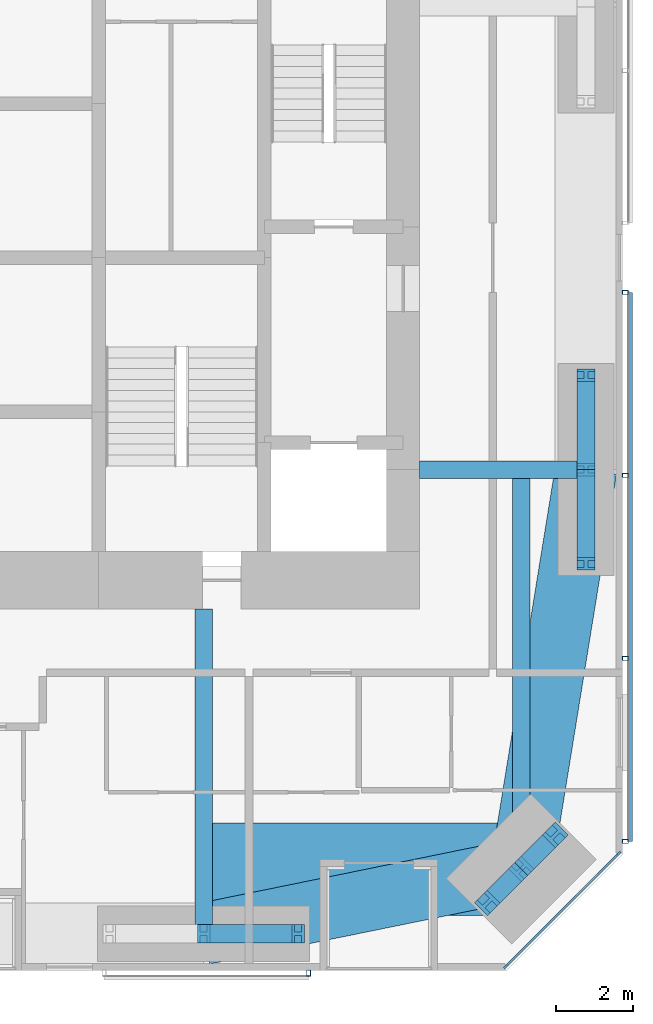
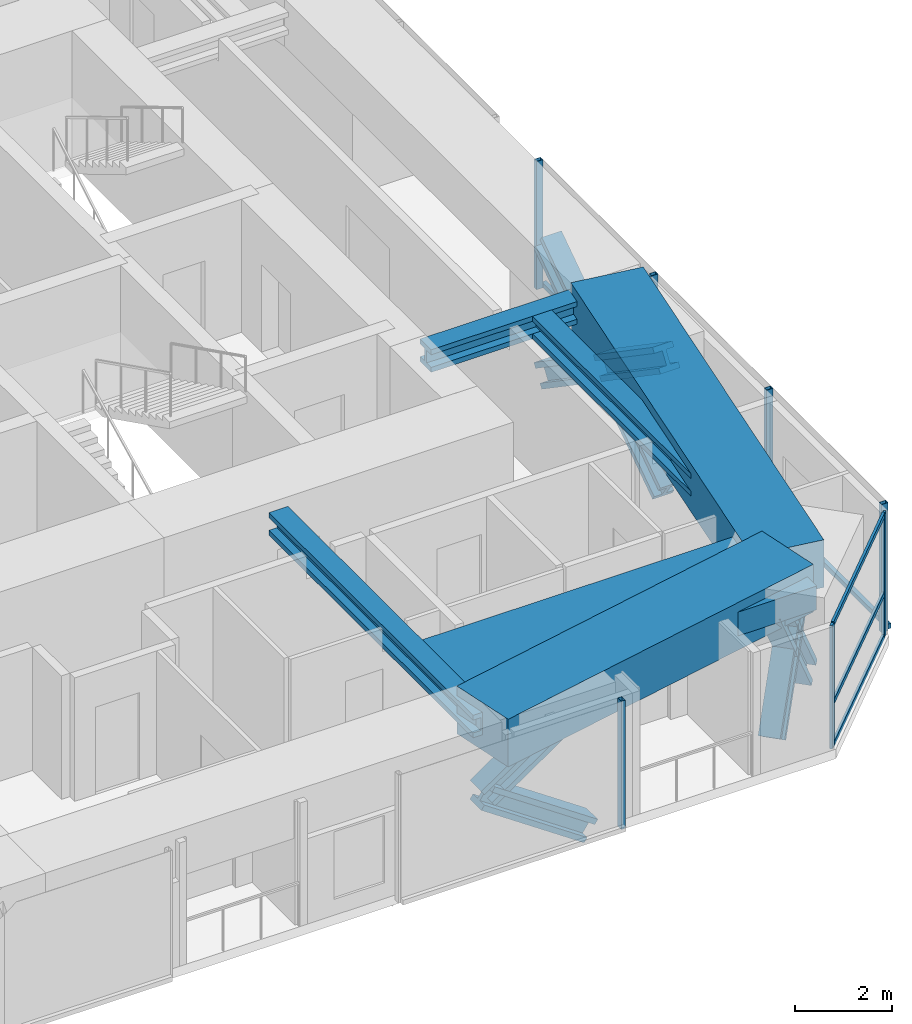
# One storey, part 8 of 23: 21 members, 6 beams, 3 elements without a shape of their own.
"""IFC4 building model written with IfcOpenShell, lengths in metres."""

from ifc_helpers import new_model, si_unit, direction, frame, origin, origin_2d, place, context, subcontext, project, spatial, rectangle, hollow_rectangle, i_section, extrude, material, material_profile, profile_set, type_object, element, aggregate, save


model = new_model("IFC4")

# Units and contexts
model_context = context("Model", 3, precision=1e-05, world=origin(), true_north=direction((0.0, 1.0)))
body_context = subcontext(model_context, "Body", "Model", "MODEL_VIEW")
ifc_project = project(units=[si_unit("LENGTHUNIT", "METRE"), si_unit("AREAUNIT", "SQUARE_METRE"), si_unit("VOLUMEUNIT", "CUBIC_METRE"), si_unit("PLANEANGLEUNIT", "RADIAN"), si_unit("MASSUNIT", "GRAM", prefix="KILO")], contexts=[model_context])

# Site, building, storey
site_placement = place(None, origin())
site = spatial("IfcSite", under=ifc_project, at=site_placement, CompositionType="ELEMENT")
building_placement = place(site_placement, origin())
building = spatial("IfcBuilding", under=site, at=building_placement, Name="Jalousie Tower", CompositionType="ELEMENT")
storey_placement = place(building_placement, frame((0.0, 0.0, 104.85009765625)))
storey = spatial("IfcBuildingStorey", under=building, at=storey_placement, Name="L28", CompositionType="ELEMENT", Elevation=104.85009765625)

# Curtain wall, members
ifc_material_1 = material(Name="Aluminium curtain wall", Category="aluminium")
curtain_wall_type_1 = type_object("IfcCurtainWallType", Name="CORNER WINDOW WALL", PredefinedType="USERDEFINED", material=ifc_material_1)
curtain_wall_1_placement = place(storey_placement, origin())
curtain_wall_1 = element("IfcCurtainWall", 1, at=curtain_wall_1_placement, inside=storey, type_object=curtain_wall_type_1, Name="Corner Window Wall L28 2", ObjectType="CORNER WINDOW WALL", PredefinedType="USERDEFINED")
ifc_material_2 = material(Name="Aluminium mullion", Category="aluminium")
ifc_material_profile_1 = material_profile(ifc_material_2, rectangle(XDim=0.06005859375, YDim=0.14990234375, at=origin_2d()), Name="MULLION 60x150")
ifc_profile_set_1 = profile_set([ifc_material_profile_1], Name="Aluminium mullion")
member_type_1 = type_object("IfcMemberType", Name="CORNER WINDOW WALL MULLION", PredefinedType="MULLION", material=ifc_profile_set_1)
member_1_placement = place(storey_placement, frame((46.469970703125, 0.108642578125, 0.0), z_axis=(0.0, 0.0, 1.0), x_axis=(-0.707106781187, 0.707106781187, 0.0)))
member_1 = element("IfcMember", 2, at=member_1_placement, type_object=member_type_1, Name="CW-C mullion 1", PredefinedType="MULLION", context=body_context, shape_type="SweptSolid", body=[
    extrude(rectangle(XDim=0.06005859375, YDim=0.14990234375, at=origin_2d()), origin(), (0.0, 0.0, 1.0), 3.10986328125),
])
member_2_placement = place(storey_placement, frame((49.391357421875, 3.030029296875, 0.0), z_axis=(0.0, 0.0, 1.0), x_axis=(-0.707106781187, 0.707106781187, 0.0)))
member_2 = element("IfcMember", 3, at=member_2_placement, type_object=member_type_1, Name="CW-C mullion 2", PredefinedType="MULLION", context=body_context, shape_type="SweptSolid", body=[
    extrude(rectangle(XDim=0.06005859375, YDim=0.14990234375, at=origin_2d()), origin(), (0.0, 0.0, 1.0), 3.10986328125),
])
ifc_material_3 = material(Name="Aluminium transom", Category="aluminium")
ifc_material_profile_2 = material_profile(ifc_material_3, rectangle(XDim=0.06005859375, YDim=0.1201171875, at=origin_2d()), Name="TRANSOM 60x120")
ifc_profile_set_2 = profile_set([ifc_material_profile_2], Name="Aluminium transom")
member_type_2 = type_object("IfcMemberType", Name="CORNER WINDOW WALL TRANSOM", PredefinedType="USERDEFINED", material=ifc_profile_set_2)
member_3_placement = place(storey_placement, frame((46.4912109375, 0.1298828125, 0.02978515625), z_axis=(0.707106781187, 0.707106781187, 0.0), x_axis=(-0.707106781187, 0.707106781187, 0.0)))
member_3 = element("IfcMember", 4, at=member_3_placement, type_object=member_type_2, Name="CW-C transom 1.1", ObjectType="TRANSOM", PredefinedType="USERDEFINED", context=body_context, shape_type="SweptSolid", body=[
    extrude(rectangle(XDim=0.06005859375, YDim=0.1201171875, at=origin_2d()), origin(), (0.0, 0.0, 1.0), 4.0712890625),
])
member_4_placement = place(storey_placement, frame((46.4912109375, 0.1298828125, 1.099853515625), z_axis=(0.707106781187, 0.707106781187, 0.0), x_axis=(-0.707106781187, 0.707106781187, 0.0)))
member_4 = element("IfcMember", 5, at=member_4_placement, type_object=member_type_2, Name="CW-C transom 1.2", ObjectType="TRANSOM", PredefinedType="USERDEFINED", context=body_context, shape_type="SweptSolid", body=[
    extrude(rectangle(XDim=0.06005859375, YDim=0.1201171875, at=origin_2d()), origin(), (0.0, 0.0, 1.0), 4.0712890625),
])
member_5_placement = place(storey_placement, frame((46.4912109375, 0.1298828125, 3.079833984375), z_axis=(0.707106781187, 0.707106781187, 0.0), x_axis=(-0.707106781187, 0.707106781187, 0.0)))
member_5 = element("IfcMember", 6, at=member_5_placement, type_object=member_type_2, Name="CW-C transom 1.3", ObjectType="TRANSOM", PredefinedType="USERDEFINED", context=body_context, shape_type="SweptSolid", body=[
    extrude(rectangle(XDim=0.06005859375, YDim=0.1201171875, at=origin_2d()), origin(), (0.0, 0.0, 1.0), 4.0712890625),
])
aggregate(curtain_wall_1, [member_1, member_2, member_3, member_4, member_5])

# Beams
ifc_material_4 = material(Name="Steel ASTM A992 Grade 50", Category="steel")
ifc_material_profile_3 = material_profile(ifc_material_4, i_section(OverallWidth=0.45458984375, OverallDepth=0.569091796875, WebThickness=0.077880859375, FlangeThickness=0.124755859375, at=origin_2d()), Name="W14X730")
ifc_profile_set_3 = profile_set([ifc_material_profile_3], Name="Steel ASTM A992 Grade 50")
beam_type_1 = type_object("IfcBeamType", Name="LEAN COLLECTOR W14X730", PredefinedType="BEAM", material=ifc_profile_set_3)
beam_1_placement = place(storey_placement, frame((38.625, 0.949951171875, 2.825439453125), z_axis=(0.0, 1.0, 0.0), x_axis=(-1.0, 0.0, 0.0)))
element("IfcBeam", 7, at=beam_1_placement, inside=storey, type_object=beam_type_1, Name="Lean collector under L29", PredefinedType="BEAM", context=body_context, shape_type="SweptSolid", body=[
    extrude(i_section(OverallWidth=0.45458984375, OverallDepth=0.569091796875, WebThickness=0.077880859375, FlangeThickness=0.124755859375, at=origin_2d()), origin(), (0.0, 0.0, 1.0), 8.425048828125),
])
beam_2_placement = place(storey_placement, frame((48.550048828125, 13.0, 2.825439453125), z_axis=(-1.0, 0.0, 0.0), x_axis=(0.0, -1.0, 0.0)))
element("IfcBeam", 8, at=beam_2_placement, inside=storey, type_object=beam_type_1, Name="Lean collector under L29", PredefinedType="BEAM", context=body_context, shape_type="SweptSolid", body=[
    extrude(i_section(OverallWidth=0.45458984375, OverallDepth=0.569091796875, WebThickness=0.077880859375, FlangeThickness=0.124755859375, at=origin_2d()), origin(), (0.0, 0.0, 1.0), 4.324951171875),
])
beam_3_placement = place(storey_placement, frame((46.86865234375, 2.63134765625, 2.825439453125), z_axis=(0.0, 1.0, 0.0), x_axis=(-1.0, 0.0, 0.0)))
element("IfcBeam", 9, at=beam_3_placement, inside=storey, type_object=beam_type_1, Name="Lean collector under L29", PredefinedType="BEAM", context=body_context, shape_type="SweptSolid", body=[
    extrude(i_section(OverallWidth=0.45458984375, OverallDepth=0.569091796875, WebThickness=0.077880859375, FlangeThickness=0.124755859375, at=origin_2d()), origin(), (0.0, 0.0, 1.0), 10.36865234375),
])

# Members
ifc_material_5 = material(Name="Steel ASTM A992 Grade 50", Category="steel")
ifc_material_profile_4 = material_profile(ifc_material_5, i_section(OverallWidth=0.472412109375, OverallDepth=0.5791015625, WebThickness=0.094970703125, FlangeThickness=0.1298828125, at=origin_2d()), Name="W14X808")
ifc_profile_set_4 = profile_set([ifc_material_profile_4], Name="Steel ASTM A992 Grade 50")
member_type_3 = type_object("IfcMemberType", Name="PERIMETER BRACE W14X808", PredefinedType="BRACE", material=ifc_profile_set_4)
for number, where, z_axis, x_axis, name in (
    (10, (38.625, 0.949951171875, 1.074951171875), (0.825500916831, 0.0, 0.564400776321), (0.0, 1.0, 0.0), "Perimeter brace 04 L28 part 2"),
    (11, (41.074951171875, 0.949951171875, -0.60009765625), (-0.825500916831, 0.0, 0.564400776321), (0.0, -1.0, 0.0), "Perimeter brace 04 L28 part 3"),
):
    element("IfcMember", number, at=place(storey_placement, frame(where, z_axis=z_axis, x_axis=x_axis)), inside=storey, type_object=member_type_3, Name=name, PredefinedType="BRACE", context=body_context, shape_type="SweptSolid", body=[
        extrude(i_section(OverallWidth=0.472412109375, OverallDepth=0.5791015625, WebThickness=0.094970703125, FlangeThickness=0.1298828125, at=origin_2d()), origin(), (0.0, 0.0, 1.0), 2.9677734375),
    ])
for number, where, z_axis, x_axis, name in (
    (12, (45.984619140625, 1.74755859375, -0.60009765625), (0.422968528423, 0.422851718556, 0.801432497518), (-0.70700912125, 0.707204427637, 0.0), "Perimeter brace 05 L28 part 1"),
    (13, (46.86865234375, 2.63134765625, 1.074951171875), (0.422851718556, 0.422968528423, 0.801432497518), (-0.707204427637, 0.70700912125, 0.0), "Perimeter brace 05 L28 part 2"),
    (14, (47.75244140625, 3.515380859375, -0.60009765625), (-0.422851718556, -0.422968528423, 0.801432497518), (0.707204427637, -0.70700912125, 0.0), "Perimeter brace 05 L28 part 3"),
    (15, (46.86865234375, 2.63134765625, 1.074951171875), (-0.422968528423, -0.422851718556, 0.801432497518), (0.70700912125, -0.707204427637, 0.0), "Perimeter brace 05 L28 part 4"),
):
    element("IfcMember", number, at=place(storey_placement, frame(where, z_axis=z_axis, x_axis=x_axis)), inside=storey, type_object=member_type_3, Name=name, PredefinedType="BRACE", context=body_context, shape_type="SweptSolid", body=[
        extrude(i_section(OverallWidth=0.472412109375, OverallDepth=0.5791015625, WebThickness=0.094970703125, FlangeThickness=0.1298828125, at=origin_2d()), origin(), (0.0, 0.0, 1.0), 2.090087890625),
    ])
for number, where, z_axis, x_axis, name in (
    (16, (48.550048828125, 10.550048828125, -0.60009765625), (0.0, 0.825500916831, 0.564400776321), (-1.0, 0.0, 0.0), "Perimeter brace 06 L28 part 1"),
    (17, (48.550048828125, 13.0, 1.074951171875), (0.0, 0.825500916831, 0.564400776321), (-1.0, 0.0, 0.0), "Perimeter brace 06 L28 part 2"),
    (18, (48.550048828125, 15.449951171875, -0.60009765625), (0.0, -0.825500916831, 0.564400776321), (1.0, 0.0, 0.0), "Perimeter brace 06 L28 part 3"),
    (19, (48.550048828125, 13.0, 1.074951171875), (0.0, -0.825500916831, 0.564400776321), (1.0, 0.0, 0.0), "Perimeter brace 06 L28 part 4"),
):
    element("IfcMember", number, at=place(storey_placement, frame(where, z_axis=z_axis, x_axis=x_axis)), inside=storey, type_object=member_type_3, Name=name, PredefinedType="BRACE", context=body_context, shape_type="SweptSolid", body=[
        extrude(i_section(OverallWidth=0.472412109375, OverallDepth=0.5791015625, WebThickness=0.094970703125, FlangeThickness=0.1298828125, at=origin_2d()), origin(), (0.0, 0.0, 1.0), 2.9677734375),
    ])

# Beams
ifc_material_6 = material(Name="Concrete f'c 40 MPa", Category="concrete")
ifc_material_profile_5 = material_profile(ifc_material_6, rectangle(XDim=1.60009765625, YDim=1.199951171875, at=origin_2d()), Name="RC 1600x1200")
ifc_profile_set_5 = profile_set([ifc_material_profile_5], Name="Concrete f'c 40 MPa")
beam_type_2 = type_object("IfcBeamType", Name="RC BEAM 1600x1200", PredefinedType="BEAM", material=ifc_profile_set_5)
beam_4_placement = place(storey_placement, frame((38.625, 0.949951171875, 2.75), z_axis=(0.97982690954, 0.199848010602, 0.0), x_axis=(-0.199848010602, 0.97982690954, 0.0)))
element("IfcBeam", 20, at=beam_4_placement, inside=storey, type_object=beam_type_2, Name="Edge band beam 04-05 under L29", PredefinedType="BEAM", context=body_context, shape_type="SweptSolid", body=[
    extrude(rectangle(XDim=1.60009765625, YDim=1.199951171875, at=origin_2d()), origin(), (0.0, 0.0, 1.0), 8.413330078125),
])
beam_5_placement = place(storey_placement, frame((46.86865234375, 2.63134765625, 2.75), z_axis=(0.160070546476, 0.987105577003, 0.0), x_axis=(-0.987105577003, 0.160070546476, 0.0)))
element("IfcBeam", 21, at=beam_5_placement, inside=storey, type_object=beam_type_2, Name="Edge band beam 05-06 under L29", PredefinedType="BEAM", context=body_context, shape_type="SweptSolid", body=[
    extrude(rectangle(XDim=1.60009765625, YDim=1.199951171875, at=origin_2d()), origin(), (0.0, 0.0, 1.0), 10.504150390625),
])
ifc_material_7 = material(Name="Concrete f'c 40 MPa", Category="concrete")
ifc_material_profile_6 = material_profile(ifc_material_7, rectangle(XDim=2.39990234375, YDim=0.60009765625, at=origin_2d()), Name="RC 2400x600")
ifc_profile_set_6 = profile_set([ifc_material_profile_6], Name="Concrete f'c 40 MPa")
beam_type_3 = type_object("IfcBeamType", Name="RC BEAM 2400x600", PredefinedType="BEAM", material=ifc_profile_set_6)
beam_6_placement = place(storey_placement, frame((46.86865234375, 2.63134765625, 2.809814453125), z_axis=(-1.0, 0.0, 0.0), x_axis=(0.0, -1.0, 0.0)))
element("IfcBeam", 22, at=beam_6_placement, inside=storey, type_object=beam_type_3, Name="Floor band beam under L29", PredefinedType="BEAM", context=body_context, shape_type="SweptSolid", body=[
    extrude(rectangle(XDim=2.39990234375, YDim=0.60009765625, at=origin_2d()), origin(), (0.0, 0.0, 1.0), 8.24365234375),
])

# Curtain wall, member
ifc_material_8 = material(Name="Perforated aluminium sheet", Category="aluminium")
curtain_wall_type_2 = type_object("IfcCurtainWallType", Name="SOLAR SCREEN SS-1", PredefinedType="USERDEFINED", material=ifc_material_8)
curtain_wall_2_placement = place(storey_placement, origin())
curtain_wall_2 = element("IfcCurtainWall", 23, at=curtain_wall_2_placement, inside=storey, type_object=curtain_wall_type_2, Name="Solar screen L28", ObjectType="SOLAR SCREEN SS-1", PredefinedType="USERDEFINED")
ifc_material_9 = material(Name="Steel ASTM A500 Grade C", Category="steel")
ifc_material_profile_7 = material_profile(ifc_material_9, hollow_rectangle(XDim=0.1015625, YDim=0.15234375, WallThickness=0.00634765625, at=origin_2d()), Name="HSS6X4X1/4")
ifc_profile_set_7 = profile_set([ifc_material_profile_7], Name="Steel ASTM A500 Grade C")
member_type_4 = type_object("IfcMemberType", Name="SOLAR SCREEN SS-1 MULLION", PredefinedType="MULLION", material=ifc_profile_set_7)
member_6_placement = place(storey_placement, frame((41.35009765625, -0.0712890625, -0.1201171875), z_axis=(0.0, 0.0, 1.0), x_axis=(1.0, 0.0, 0.0)))
member_6 = element("IfcMember", 24, at=member_6_placement, type_object=member_type_4, Name="SS1 post 2", PredefinedType="MULLION", context=body_context, shape_type="SweptSolid", body=[
    extrude(hollow_rectangle(XDim=0.1015625, YDim=0.15234375, WallThickness=0.00634765625, at=origin_2d()), origin(), (0.0, 0.0, 1.0), 3.22998046875),
])
aggregate(curtain_wall_2, [member_6])

# Curtain wall, members
curtain_wall_3_placement = place(storey_placement, origin())
curtain_wall_3 = element("IfcCurtainWall", 25, at=curtain_wall_3_placement, inside=storey, type_object=curtain_wall_type_2, Name="Solar screen L28", ObjectType="SOLAR SCREEN SS-1", PredefinedType="USERDEFINED")
member_7_placement = place(storey_placement, frame((49.5712890625, 3.351318359375, -0.1201171875), z_axis=(0.0, 0.0, 1.0), x_axis=(0.0, 1.0, 0.0)))
member_7 = element("IfcMember", 26, at=member_7_placement, type_object=member_type_4, Name="SS1 post 1", PredefinedType="MULLION", context=body_context, shape_type="SweptSolid", body=[
    extrude(hollow_rectangle(XDim=0.1015625, YDim=0.15234375, WallThickness=0.00634765625, at=origin_2d()), origin(), (0.0, 0.0, 1.0), 3.22998046875),
])
member_8_placement = place(storey_placement, frame((49.5712890625, 8.100830078125, -0.1201171875), z_axis=(0.0, 0.0, 1.0), x_axis=(0.0, 1.0, 0.0)))
member_8 = element("IfcMember", 27, at=member_8_placement, type_object=member_type_4, Name="SS1 post 2", PredefinedType="MULLION", context=body_context, shape_type="SweptSolid", body=[
    extrude(hollow_rectangle(XDim=0.1015625, YDim=0.15234375, WallThickness=0.00634765625, at=origin_2d()), origin(), (0.0, 0.0, 1.0), 3.22998046875),
])
member_9_placement = place(storey_placement, frame((49.5712890625, 12.850341796875, -0.1201171875), z_axis=(0.0, 0.0, 1.0), x_axis=(0.0, 1.0, 0.0)))
member_9 = element("IfcMember", 28, at=member_9_placement, type_object=member_type_4, Name="SS1 post 3", PredefinedType="MULLION", context=body_context, shape_type="SweptSolid", body=[
    extrude(hollow_rectangle(XDim=0.1015625, YDim=0.15234375, WallThickness=0.00634765625, at=origin_2d()), origin(), (0.0, 0.0, 1.0), 3.22998046875),
])
member_10_placement = place(storey_placement, frame((49.5712890625, 17.60009765625, -0.1201171875), z_axis=(0.0, 0.0, 1.0), x_axis=(0.0, 1.0, 0.0)))
member_10 = element("IfcMember", 29, at=member_10_placement, type_object=member_type_4, Name="SS1 post 4", PredefinedType="MULLION", context=body_context, shape_type="SweptSolid", body=[
    extrude(hollow_rectangle(XDim=0.1015625, YDim=0.15234375, WallThickness=0.00634765625, at=origin_2d()), origin(), (0.0, 0.0, 1.0), 3.22998046875),
])
ifc_material_10 = material(Name="Extruded aluminium screen rail", Category="aluminium")
ifc_material_profile_8 = material_profile(ifc_material_10, rectangle(XDim=0.1015625, YDim=0.1201171875, at=origin_2d()), Name="RAIL 102x120")
ifc_profile_set_8 = profile_set([ifc_material_profile_8], Name="Extruded aluminium screen rail")
member_type_5 = type_object("IfcMemberType", Name="SOLAR SCREEN SS-1 TRANSOM", PredefinedType="USERDEFINED", material=ifc_profile_set_8)
member_11_placement = place(storey_placement, frame((49.6982421875, 3.351318359375, -0.06005859375), z_axis=(0.0, 1.0, 0.0), x_axis=(-1.0, 0.0, 0.0)))
member_11 = element("IfcMember", 30, at=member_11_placement, type_object=member_type_5, Name="SS1 rail", ObjectType="TRANSOM", PredefinedType="USERDEFINED", context=body_context, shape_type="SweptSolid", body=[
    extrude(rectangle(XDim=0.1015625, YDim=0.1201171875, at=origin_2d()), origin(), (0.0, 0.0, 1.0), 14.248779296875),
])
aggregate(curtain_wall_3, [member_7, member_8, member_9, member_10, member_11])

save(model, "model.ifc")
